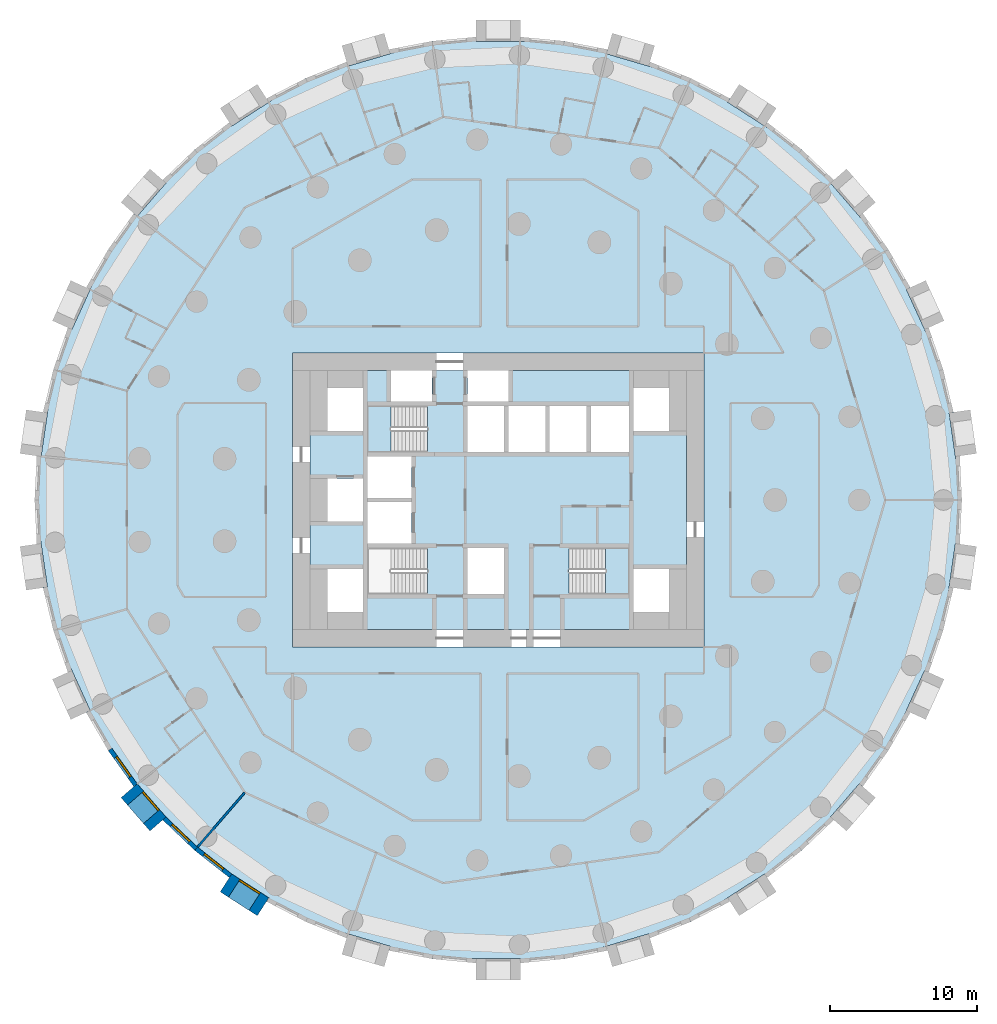
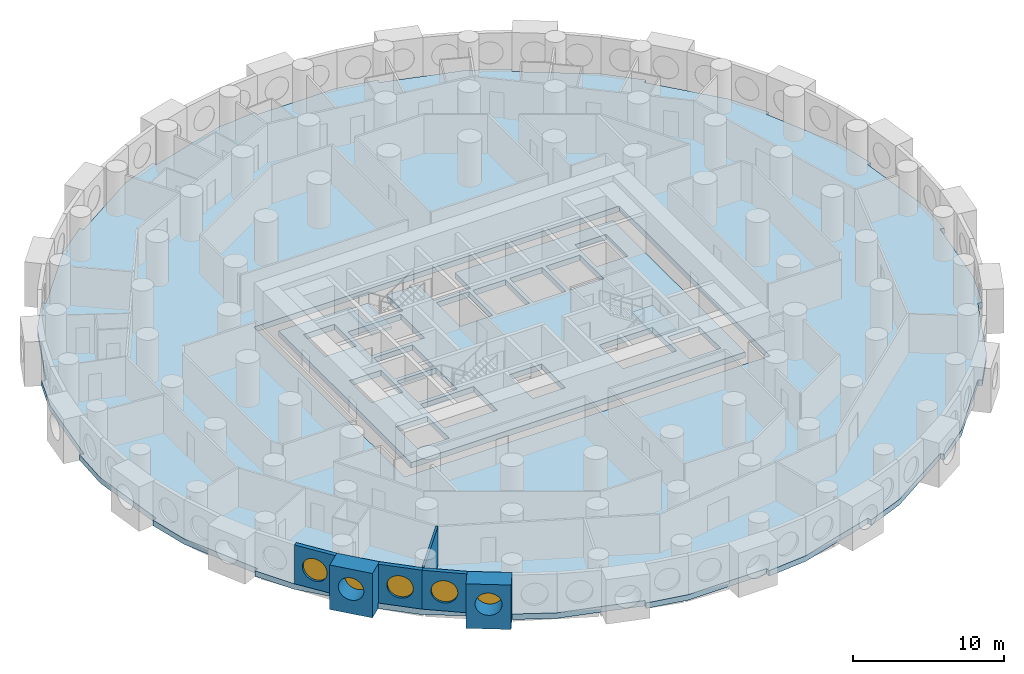
# One storey, part 2 of 12: 6 walls, 5 windows, 4 slabs, 5 openings, 2 elements without a shape of their own.
"""IFC4 building model written with IfcOpenShell, lengths in metres."""

import ifcopenshell
import ifcopenshell.guid

model = None  # the IFC model being written
_history = None  # IfcOwnerHistory: only IFC2X3 demands one
_inside = {}  # id of a spatial element -> (the spatial element, [elements in it])
_under = {}  # id of a project, library or spatial element -> (it, [spatial elements below it])
_declared = {}  # id of a project -> (the project, [libraries it declares])
_typed = {}  # id of a type object -> (the type object, [elements of that type])
_made_of = {}  # id of a material, layer set ... -> (it, [elements and type objects made of it])


def new_model(schema):
    """Start an empty IFC model of exactly this schema.

    Asked for "IFC4X3", IfcOpenShell would pick the latest addendum, in which some entities
    have other attributes; the version numbers below select the first issue.
    IFC2X3 requires an IfcOwnerHistory on every rooted entity: one is made here for all.
    """
    global model, _history
    if schema == "IFC4X3":
        model = ifcopenshell.file(schema_version=(4, 3, 0, 0))
    else:
        model = ifcopenshell.file(schema=schema)
    _inside.clear()
    _under.clear()
    _declared.clear()
    _typed.clear()
    _made_of.clear()
    _history = None
    if model.schema == "IFC2X3":
        org = make("IfcOrganization", Name="unknown")
        user = make(
            "IfcPersonAndOrganization",
            ThePerson=make("IfcPerson", FamilyName="unknown"),
            TheOrganization=org,
        )
        app = make(
            "IfcApplication",
            ApplicationDeveloper=org,
            Version="unknown",
            ApplicationFullName="unknown",
            ApplicationIdentifier="unknown",
        )
        _history = make(
            "IfcOwnerHistory",
            OwningUser=user,
            OwningApplication=app,
            ChangeAction="ADDED",
            CreationDate=0,
        )
    return model


def make(cls, **values):
    """One entity of the class cls with the attributes given. An attribute that is None is left unset."""
    return model.create_entity(
        cls, **{name: value for name, value in values.items() if value is not None}
    )


def rooted(cls, **values):
    """An entity with a GlobalId (a new one), such as an element, a storey or a relation."""
    return make(cls, GlobalId=ifcopenshell.guid.new(), OwnerHistory=_history, **values)


def si_unit(unit_type, name, prefix=None):
    """IfcSIUnit, for example si_unit("LENGTHUNIT", "METRE", prefix="MILLI")."""
    return make("IfcSIUnit", UnitType=unit_type, Prefix=prefix, Name=name)


def assignment(units):
    """IfcUnitAssignment: the units of a project."""
    return None if units is None else make("IfcUnitAssignment", Units=units)


def point(xyz):
    """IfcCartesianPoint."""
    return None if xyz is None else make("IfcCartesianPoint", Coordinates=xyz)


def direction(xyz):
    """IfcDirection."""
    return None if xyz is None else make("IfcDirection", DirectionRatios=xyz)


def frame(location, z_axis=None, x_axis=None):
    """IfcAxis2Placement3D, a coordinate frame: its origin and axes. An axis left out is left unset."""
    return make(
        "IfcAxis2Placement3D",
        Location=point(location),
        Axis=direction(z_axis),
        RefDirection=direction(x_axis),
    )


def frame_2d(location, x_axis=None):
    """IfcAxis2Placement2D, a coordinate frame in the plane: its origin and x axis."""
    return make(
        "IfcAxis2Placement2D", Location=point(location), RefDirection=direction(x_axis)
    )


def origin():
    """The frame at (0, 0, 0) with its axes left unset."""
    return frame((0.0, 0.0, 0.0))


def origin_2d():
    """The frame at (0, 0) in the plane with its x axis left unset."""
    return frame_2d((0.0, 0.0))


def place(relative_to, where):
    """IfcLocalPlacement: puts the frame where relative to a parent placement (None: the world)."""
    return make(
        "IfcLocalPlacement", PlacementRelTo=relative_to, RelativePlacement=where
    )


def context(
    kind, dimensions, precision=None, world=None, true_north=None, identifier=None
):
    """IfcGeometricRepresentationContext, for example the 3D "Model" context."""
    return make(
        "IfcGeometricRepresentationContext",
        ContextIdentifier=identifier,
        ContextType=kind,
        CoordinateSpaceDimension=dimensions,
        Precision=precision,
        WorldCoordinateSystem=world,
        TrueNorth=true_north,
    )


def subcontext(parent, identifier, kind, view, scale=None):
    """IfcGeometricRepresentationSubContext, for example "Body" below "Model"."""
    return make(
        "IfcGeometricRepresentationSubContext",
        ContextIdentifier=identifier,
        ContextType=kind,
        ParentContext=parent,
        TargetScale=scale,
        TargetView=view,
    )


def project(units=None, contexts=None):
    """IfcProject with its units and contexts."""
    return rooted(
        "IfcProject",
        Name="project",
        RepresentationContexts=contexts,
        UnitsInContext=assignment(units),
    )


def spatial(cls, under=None, at=None, **own):
    """A site, building, storey or space (cls), placed at a placement, below another one or the project."""
    s = rooted(cls, ObjectPlacement=at, **own)
    if under is not None:
        _under.setdefault(under.id(), (under, []))[1].append(s)
    return s


def polyline(points):
    """IfcPolyline through the points."""
    return make("IfcPolyline", Points=[point(p) for p in points])


def profile(cls, at=None, kind="AREA", **sizes):
    """A parametric profile (cls). Its sizes go by their IFC names, for example OverallWidth=200.0."""
    return make(cls, ProfileType=kind, Position=at, **sizes)


def rectangle(**sizes):
    """IfcRectangleProfileDef."""
    return profile("IfcRectangleProfileDef", **sizes)


def circle(**sizes):
    """IfcCircleProfileDef."""
    return profile("IfcCircleProfileDef", **sizes)


def outline(outer, holes=None, kind="AREA"):
    """IfcArbitraryClosedProfileDef: a profile drawn as a closed curve; with holes, ...WithVoids."""
    if holes is None:
        return make("IfcArbitraryClosedProfileDef", ProfileType=kind, OuterCurve=outer)
    return make(
        "IfcArbitraryProfileDefWithVoids",
        ProfileType=kind,
        OuterCurve=outer,
        InnerCurves=holes,
    )


def extrude(swept, where, along, depth):
    """IfcExtrudedAreaSolid: the profile swept, set in the frame where, extruded along a direction by depth."""
    return make(
        "IfcExtrudedAreaSolid",
        SweptArea=swept,
        Position=where,
        ExtrudedDirection=direction(along),
        Depth=depth,
    )


def shape(context_of_items, identifier, shape_type, items):
    """IfcShapeRepresentation: the items that make up one representation, for example the "Body"."""
    return make(
        "IfcShapeRepresentation",
        ContextOfItems=context_of_items,
        RepresentationIdentifier=identifier,
        RepresentationType=shape_type,
        Items=items,
    )


def material(Name=None, Category=None):
    """IfcMaterial."""
    return make("IfcMaterial", Name=Name, Category=Category)


def layer(
    of_material, thickness, ventilated=None, Name=None, Category=None, Priority=None
):
    """IfcMaterialLayer: one layer of a wall or slab, of a material (None: an air gap)."""
    return make(
        "IfcMaterialLayer",
        Material=of_material,
        LayerThickness=thickness,
        IsVentilated=ventilated,
        Name=Name,
        Category=Category,
        Priority=Priority,
    )


def layer_set(layers, Name=None):
    """IfcMaterialLayerSet."""
    return make("IfcMaterialLayerSet", MaterialLayers=layers, LayerSetName=Name)


def made_of(thing, what):
    """Note that an element or type object is made of a material, layer set ...; save() writes the relation."""
    if what is not None:
        _made_of.setdefault(what.id(), (what, []))[1].append(thing)
    return thing


def type_object(cls, material=None, **own):
    """A type object (cls), such as IfcWallType, which elements share."""
    return made_of(rooted(cls, **own), material)


def element(
    cls,
    number,
    at=None,
    inside=None,
    cuts=None,
    type_object=None,
    material=None,
    context=None,
    identifier="Body",
    shape_type=None,
    held_by="IfcProductDefinitionShape",
    body=None,
    shapes=None,
    **own,
):
    """One element of the class cls, such as IfcWall. Its Tag is "e" and its number.

    at: its placement. inside: the storey or other place that contains it. cuts: it is an
    opening in that element (IfcRelVoidsElement). A single representation is given by context,
    identifier, shape_type and body (its items); several are given by shapes. held_by: the class
    of the entity that holds the representations. save() writes the other relations.
    """
    e = rooted(cls, Tag="e%d" % number, ObjectPlacement=at, **own)
    if body is not None:
        shapes = [shape(context, identifier, shape_type, body)]
    if shapes is not None:
        e.Representation = make(held_by, Representations=shapes)
    if inside is not None:
        _inside.setdefault(inside.id(), (inside, []))[1].append(e)
    if cuts is not None:
        rooted(
            "IfcRelVoidsElement", RelatingBuildingElement=cuts, RelatedOpeningElement=e
        )
    if type_object is not None:
        _typed.setdefault(type_object.id(), (type_object, []))[1].append(e)
    return made_of(e, material)


def fill(opening, filler):
    """IfcRelFillsElement: the door or window that sits in an opening."""
    return rooted(
        "IfcRelFillsElement",
        RelatingOpeningElement=opening,
        RelatedBuildingElement=filler,
    )


def aggregate(whole, parts):
    """IfcRelAggregates: a whole, such as a stair, and the parts it consists of."""
    return rooted("IfcRelAggregates", RelatingObject=whole, RelatedObjects=parts)


def save(model, path):
    """Write the relations noted so far, then the file.

    IfcRelAggregates (storeys below a building ...), IfcRelContainedInSpatialStructure (elements
    in a storey), IfcRelDefinesByType, IfcRelAssociatesMaterial and IfcRelDeclares: one each for
    every whole, place, type object, material and project.
    """
    for whole, parts in _under.values():
        aggregate(whole, parts)
    for where, things in _inside.values():
        rooted(
            "IfcRelContainedInSpatialStructure",
            RelatedElements=things,
            RelatingStructure=where,
        )
    for kind, things in _typed.values():
        rooted("IfcRelDefinesByType", RelatedObjects=things, RelatingType=kind)
    for what, things in _made_of.values():
        rooted("IfcRelAssociatesMaterial", RelatedObjects=things, RelatingMaterial=what)
    for by, libraries in _declared.values():
        rooted("IfcRelDeclares", RelatingContext=by, RelatedDefinitions=libraries)
    model.write(path)


model = new_model("IFC4")

# Units and contexts
model_context = context("Model", 3, precision=1e-05, world=origin(), true_north=direction((0.0, 1.0)))
body_context = subcontext(model_context, "Body", "Model", "MODEL_VIEW")
ifc_project = project(units=[si_unit("LENGTHUNIT", "METRE"), si_unit("AREAUNIT", "SQUARE_METRE"), si_unit("VOLUMEUNIT", "CUBIC_METRE"), si_unit("PLANEANGLEUNIT", "RADIAN"), si_unit("MASSUNIT", "GRAM", prefix="KILO")], contexts=[model_context])

# Site, building, storey
site_placement = place(None, origin())
site = spatial("IfcSite", under=ifc_project, at=site_placement, CompositionType="ELEMENT")
building_placement = place(site_placement, origin())
building = spatial("IfcBuilding", under=site, at=building_placement, Name="Tracery Tower", CompositionType="ELEMENT")
storey_placement = place(building_placement, frame((0.0, 0.0, 53.39990234375)))
storey = spatial("IfcBuildingStorey", under=building, at=storey_placement, Name="L12", CompositionType="ELEMENT", Elevation=53.39990234375)

# Slabs
ifc_material_1 = material(Name="Concrete C60/75", Category="concrete")
ifc_layer_1 = layer(ifc_material_1, 0.449951171875)
ifc_layer_set_1 = layer_set([ifc_layer_1], Name="Core floor slab 450 C60")
slab_type_1 = type_object("IfcSlabType", Name="Core floor slab 450 C60", PredefinedType="FLOOR", material=ifc_layer_set_1)
slab_1_placement = place(storey_placement, frame((0.0, 0.0, -0.449951171875)))
element("IfcSlab", 1, at=slab_1_placement, inside=storey, type_object=slab_type_1, Name="L12 core floor 1", PredefinedType="FLOOR", context=body_context, shape_type="SweptSolid", body=[
    extrude(outline(polyline([(-12.800048828125, 8.800048828125), (-7.300048828125, 8.800048828125), (-7.300048828125, 6.699951171875), (-4.5, 6.699951171875), (-4.5, 8.800048828125), (-2.10009765625, 8.800048828125), (-2.10009765625, 6.699951171875), (0.699951171875, 6.699951171875), (0.699951171875, 8.800048828125), (12.800048828125, 8.800048828125), (12.800048828125, -8.800048828125), (-12.800048828125, -8.800048828125), (-12.800048828125, 8.800048828125)]), holes=[polyline([(11.60009765625, -7.60009765625), (11.60009765625, -4.699951171875), (9.199951171875, -4.699951171875), (9.199951171875, -7.60009765625), (11.60009765625, -7.60009765625)]), polyline([(11.60009765625, 4.699951171875), (11.60009765625, 7.60009765625), (9.199951171875, 7.60009765625), (9.199951171875, 4.699951171875), (11.60009765625, 4.699951171875)]), polyline([(4.800537109375, -3.25), (4.800537109375, -6.39990234375), (8.89990234375, -6.39990234375), (8.89990234375, -3.25), (4.800537109375, -3.25)]), polyline([(6.300048828125, 3.25), (8.89990234375, 3.25), (8.89990234375, 6.39990234375), (6.300048828125, 6.39990234375), (6.300048828125, 3.25)]), polyline([(3.5, 3.25), (6.0, 3.25), (6.0, 6.39990234375), (3.5, 6.39990234375), (3.5, 3.25)]), polyline([(3.199951171875, 3.25), (3.199951171875, 6.39990234375), (0.699951171875, 6.39990234375), (0.699951171875, 3.25), (3.199951171875, 3.25)]), polyline([(-2.10009765625, 3.25), (0.39990234375, 3.25), (0.39990234375, 6.39990234375), (-2.10009765625, 6.39990234375), (-2.10009765625, 3.25)]), polyline([(0.39990234375, -6.39990234375), (0.39990234375, -3.25), (-2.10009765625, -3.25), (-2.10009765625, -6.39990234375), (0.39990234375, -6.39990234375)]), polyline([(-4.800537109375, -3.25), (-8.89990234375, -3.25), (-8.89990234375, -6.39990234375), (-4.800537109375, -6.39990234375), (-4.800537109375, -3.25)]), polyline([(-4.800537109375, 6.39990234375), (-8.89990234375, 6.39990234375), (-8.89990234375, 3.25), (-4.800537109375, 3.25), (-4.800537109375, 6.39990234375)]), polyline([(-8.89990234375, -2.949951171875), (-5.89990234375, -2.949951171875), (-5.89990234375, -0.14990234375), (-8.89990234375, -0.14990234375), (-8.89990234375, -2.949951171875)]), polyline([(-5.89990234375, 0.14990234375), (-5.89990234375, 2.949951171875), (-8.89990234375, 2.949951171875), (-8.89990234375, 0.14990234375), (-5.89990234375, 0.14990234375)]), polyline([(-11.60009765625, 4.699951171875), (-9.199951171875, 4.699951171875), (-9.199951171875, 7.60009765625), (-11.60009765625, 7.60009765625), (-11.60009765625, 4.699951171875)]), polyline([(-9.199951171875, -7.60009765625), (-9.199951171875, -4.699951171875), (-11.60009765625, -4.699951171875), (-11.60009765625, -7.60009765625), (-9.199951171875, -7.60009765625)]), polyline([(-9.199951171875, -1.449951171875), (-9.199951171875, 1.449951171875), (-11.60009765625, 1.449951171875), (-11.60009765625, -1.449951171875), (-9.199951171875, -1.449951171875)])]), origin(), (0.0, 0.0, 1.0), 0.449951171875),
])
ifc_material_2 = material(Name="Concrete C50/60", Category="concrete")
ifc_layer_2 = layer(ifc_material_2, 0.449951171875)
ifc_layer_set_2 = layer_set([ifc_layer_2], Name="Floor slab 450")
slab_type_2 = type_object("IfcSlabType", Name="Floor slab 450", PredefinedType="FLOOR", material=ifc_layer_set_2)
slab_2_placement = place(storey_placement, frame((0.0, 0.0, -0.449951171875)))
element("IfcSlab", 2, at=slab_2_placement, inside=storey, type_object=slab_type_2, Name="Floor slab L12", PredefinedType="FLOOR", context=body_context, shape_type="SweptSolid", body=[
    extrude(outline(polyline([(31.0849609375, 2.953857421875), (31.0849609375, 2.953857421875), (30.673583984375, 5.814697265625), (30.659912109375, 5.9091796875), (30.659912109375, 5.9091796875), (30.657958984375, 5.92333984375), (30.954345703125, 5.966064453125), (30.954833984375, 5.966064453125), (30.24755859375, 8.881591796875), (28.99365234375, 11.591796875), (28.993408203125, 11.591796875), (28.74609375, 12.1337890625), (27.753173828125, 14.307861328125), (27.753173828125, 14.307861328125), (27.747314453125, 14.32080078125), (28.020263671875, 14.4453125), (26.520263671875, 17.04345703125), (24.55322265625, 19.290771484375), (24.55322265625, 19.290771484375), (22.588623046875, 21.55810546875), (22.814697265625, 21.75390625), (22.8154296875, 21.75439453125), (20.644287109375, 23.82470703125), (18.123779296875, 25.4267578125), (18.123779296875, 25.4267578125), (18.12060546875, 25.428955078125), (18.11181640625, 25.4345703125), (15.612060546875, 27.041015625), (15.612060546875, 27.041015625), (15.60009765625, 27.048583984375), (15.76220703125, 27.301025390625), (13.095703125, 28.67578125), (10.226318359375, 29.5029296875), (10.226318359375, 29.5029296875), (7.34765625, 30.34814453125), (7.43212890625, 30.6357421875), (7.43212890625, 30.635986328125), (4.486328125, 31.20361328125), (1.5, 31.18896484375), (1.5, 31.18896484375), (-1.5, 31.18896484375), (-1.5, 31.489013671875), (-4.486328125, 31.20361328125), (-7.34765625, 30.34814453125), (-7.34765625, 30.34814453125), (-10.226318359375, 29.5029296875), (-10.310791015625, 29.790771484375), (-10.310791015625, 29.790771484375), (-13.095703125, 28.67578125), (-15.60009765625, 27.048828125), (-15.60009765625, 27.048583984375), (-15.60888671875, 27.04296875), (-15.612060546875, 27.041015625), (-18.11181640625, 25.4345703125), (-18.11181640625, 25.4345703125), (-18.123779296875, 25.4267578125), (-18.285888671875, 25.6787109375), (-18.2861328125, 25.67919921875), (-20.644287109375, 23.82470703125), (-22.5888671875, 21.55810546875), (-22.588623046875, 21.55810546875), (-24.55322265625, 19.290771484375), (-24.77978515625, 19.487060546875), (-24.780029296875, 19.4873046875), (-26.520263671875, 17.04345703125), (-27.747314453125, 14.32080078125), (-27.747314453125, 14.32080078125), (-27.751708984375, 14.311279296875), (-27.753173828125, 14.307861328125), (-28.74609375, 12.1337890625), (-28.993408203125, 11.591796875), (-29.266357421875, 11.716552734375), (-30.24755859375, 8.881591796875), (-30.657958984375, 5.92333984375), (-30.657958984375, 5.92333984375), (-30.659912109375, 5.909423828125), (-30.659912109375, 5.9091796875), (-30.673583984375, 5.814697265625), (-31.0849609375, 2.953857421875), (-31.381591796875, 2.99658203125), (-31.3818359375, 2.99658203125), (-31.524658203125, 0.0), (-31.0849609375, -2.953857421875), (-31.0849609375, -2.953857421875), (-30.673583984375, -5.814697265625), (-30.659912109375, -5.9091796875), (-30.659912109375, -5.9091796875), (-30.657958984375, -5.92333984375), (-30.954345703125, -5.966064453125), (-30.954833984375, -5.966064453125), (-30.24755859375, -8.881591796875), (-28.99365234375, -11.591796875), (-28.993408203125, -11.591796875), (-28.74609375, -12.1337890625), (-27.753173828125, -14.307861328125), (-27.753173828125, -14.307861328125), (-27.747314453125, -14.32080078125), (-28.020263671875, -14.4453125), (-26.520263671875, -17.04345703125), (-24.55322265625, -19.290771484375), (-24.55322265625, -19.290771484375), (-22.588623046875, -21.55810546875), (-22.814697265625, -21.75390625), (-22.8154296875, -21.75439453125), (-20.644287109375, -23.82470703125), (-18.123779296875, -25.4267578125), (-18.123779296875, -25.4267578125), (-18.12060546875, -25.428955078125), (-18.11181640625, -25.4345703125), (-15.612060546875, -27.041015625), (-15.612060546875, -27.041015625), (-15.60009765625, -27.048583984375), (-15.76220703125, -27.301025390625), (-13.095703125, -28.67578125), (-10.226318359375, -29.5029296875), (-10.226318359375, -29.5029296875), (-7.34765625, -30.34814453125), (-7.43212890625, -30.6357421875), (-7.43212890625, -30.635986328125), (-4.486328125, -31.20361328125), (-1.5, -31.18896484375), (-1.5, -31.18896484375), (1.5, -31.18896484375), (1.5, -31.489013671875), (4.486328125, -31.20361328125), (7.34765625, -30.34814453125), (7.34765625, -30.34814453125), (10.226318359375, -29.5029296875), (10.310791015625, -29.790771484375), (10.310791015625, -29.790771484375), (13.095703125, -28.67578125), (15.60009765625, -27.048828125), (15.60009765625, -27.048583984375), (15.60888671875, -27.04296875), (15.612060546875, -27.041015625), (18.11181640625, -25.4345703125), (18.11181640625, -25.4345703125), (18.123779296875, -25.4267578125), (18.285888671875, -25.6787109375), (18.2861328125, -25.67919921875), (20.644287109375, -23.82470703125), (22.5888671875, -21.55810546875), (22.588623046875, -21.55810546875), (24.55322265625, -19.290771484375), (24.77978515625, -19.487060546875), (24.780029296875, -19.4873046875), (26.520263671875, -17.04345703125), (27.747314453125, -14.32080078125), (27.747314453125, -14.32080078125), (27.751708984375, -14.311279296875), (27.753173828125, -14.307861328125), (28.74609375, -12.1337890625), (28.993408203125, -11.591796875), (29.266357421875, -11.716552734375), (30.24755859375, -8.881591796875), (30.657958984375, -5.92333984375), (30.657958984375, -5.92333984375), (30.659912109375, -5.909423828125), (30.659912109375, -5.9091796875), (30.673583984375, -5.814697265625), (31.0849609375, -2.953857421875), (31.381591796875, -2.99658203125), (31.3818359375, -2.99658203125), (31.524658203125, 0.0), (31.0849609375, 2.953857421875)]), holes=[polyline([(-14.0, -10.0), (14.0, -10.0), (14.0, 10.0), (-14.0, 10.0), (-14.0, -10.0)])]), origin(), (0.0, 0.0, 1.0), 0.449951171875),
])

# Stair, slab
ifc_material_3 = material(Name="Concrete C32/40", Category="concrete")
stair_type = type_object("IfcStairType", Name="Core stair 22 risers", PredefinedType="HALF_TURN_STAIR", material=ifc_material_3)
stair_1_placement = place(storey_placement, origin())
stair_1 = element("IfcStair", 3, at=stair_1_placement, inside=storey, type_object=stair_type, Name="L12 stair ST3", PredefinedType="HALF_TURN_STAIR")
ifc_material_4 = material(Name="Concrete C32/40", Category="concrete")
ifc_layer_3 = layer(ifc_material_4, 0.199951171875)
ifc_layer_set_3 = layer_set([ifc_layer_3], Name="Stair landing slab 200")
slab_type_3 = type_object("IfcSlabType", Name="Stair landing slab 200", PredefinedType="LANDING", material=ifc_layer_set_3)
slab_3_placement = place(storey_placement, frame((0.0, 0.0, 1.60009765625)))
slab_3 = element("IfcSlab", 4, at=slab_3_placement, type_object=slab_type_3, Name="ST3 landing 1", PredefinedType="LANDING", context=body_context, shape_type="SweptSolid", body=[
    extrude(outline(polyline([(-7.29931640625, 6.39990234375), (-8.89990234375, 6.39990234375), (-8.89990234375, 3.25), (-7.29931640625, 3.25), (-7.29931640625, 6.39990234375)])), origin(), (0.0, 0.0, 1.0), 0.199951171875),
])
aggregate(stair_1, [slab_3])

stair_2_placement = place(storey_placement, origin())
stair_2 = element("IfcStair", 5, at=stair_2_placement, inside=storey, type_object=stair_type, Name="L12 stair ST2", PredefinedType="HALF_TURN_STAIR")
slab_4_placement = place(storey_placement, frame((0.0, 0.0, 1.60009765625)))
slab_4 = element("IfcSlab", 6, at=slab_4_placement, type_object=slab_type_3, Name="ST2 landing 1", PredefinedType="LANDING", context=body_context, shape_type="SweptSolid", body=[
    extrude(outline(polyline([(7.29931640625, -6.39990234375), (8.89990234375, -6.39990234375), (8.89990234375, -3.25), (7.29931640625, -3.25), (7.29931640625, -6.39990234375)])), origin(), (0.0, 0.0, 1.0), 0.199951171875),
])
aggregate(stair_2, [slab_4])

# Wall, opening, window
ifc_material_5 = material(Name="Precast concrete C50/60", Category="concrete")
ifc_layer_4 = layer(ifc_material_5, 1.449951171875)
ifc_layer_set_4 = layer_set([ifc_layer_4], Name="Deep-set bay unit 3000 x 3600, slab edge 450")
wall_type_1 = type_object("IfcWallType", Name="Deep-set bay unit 3000 x 3600, slab edge 450", PredefinedType="ELEMENTEDWALL", material=ifc_layer_set_4)
wall_1_placement = place(storey_placement, frame((-25.101318359375, -19.765625, -0.449951171875), z_axis=(0.0, 0.0, 1.0), x_axis=(0.654890259022, -0.75572398972, 0.0)))
wall_1 = element("IfcWall", 7, at=wall_1_placement, inside=storey, type_object=wall_type_1, Name="Deep-set bay unit 41 at L12", PredefinedType="ELEMENTEDWALL", context=body_context, shape_type="SweptSolid", body=[
    extrude(rectangle(XDim=3.0, YDim=1.449951171875, at=frame_2d((1.5, 0.0))), origin(), (0.0, 0.0, 1.0), 3.60009765625),
])
opening_1_placement = place(wall_1_placement, frame((1.5, 0.0, 2.0)))
opening_1 = element("IfcOpeningElement", 8, at=opening_1_placement, cuts=wall_1, Name="Opening WN1", PredefinedType="OPENING", context=body_context, shape_type="SweptSolid", body=[
    extrude(circle(Radius=0.9000244140625, at=origin_2d()), frame((0.0, 0.73486328125, 0.0), z_axis=(0.0, -1.0, 0.0), x_axis=(1.0, 0.0, 0.0)), (0.0, 0.0, 1.0), 1.469970703125),
])
ifc_material_6 = material(Name="Aluminium frame with tinted double glazing", Category="aluminium")
window_type = type_object("IfcWindowType", Name="Round window 1800", PartitioningType="SINGLE_PANEL", PredefinedType="WINDOW", material=ifc_material_6)
window_1_placement = place(opening_1_placement, origin())
window_1 = element("IfcWindow", 9, at=window_1_placement, inside=storey, type_object=window_type, Name="Round window 41 at L12", OverallHeight=1.800048828125, OverallWidth=1.800048828125, PartitioningType="SINGLE_PANEL", PredefinedType="WINDOW", context=body_context, shape_type="SweptSolid", body=[
    extrude(circle(Radius=0.9000244140625, at=origin_2d()), frame((0.0, 0.69482421875, 0.0), z_axis=(0.0, -1.0, 0.0), x_axis=(1.0, 0.0, 0.0)), (0.0, 0.0, 1.0), 0.10009765625),
])
fill(opening_1, window_1)

wall_2_placement = place(storey_placement, frame((-18.515869140625, -26.03662109375, -0.449951171875), z_axis=(0.0, 0.0, 1.0), x_axis=(0.841223422347, -0.540687667415, 0.0)))
wall_2 = element("IfcWall", 10, at=wall_2_placement, inside=storey, type_object=wall_type_1, Name="Deep-set bay unit 44 at L12", PredefinedType="ELEMENTEDWALL", context=body_context, shape_type="SweptSolid", body=[
    extrude(rectangle(XDim=3.0, YDim=1.449951171875, at=frame_2d((1.5, 0.0))), origin(), (0.0, 0.0, 1.0), 3.60009765625),
])
opening_2_placement = place(wall_2_placement, frame((1.5, 0.0, 2.0)))
opening_2 = element("IfcOpeningElement", 11, at=opening_2_placement, cuts=wall_2, Name="Opening WN1", PredefinedType="OPENING", context=body_context, shape_type="SweptSolid", body=[
    extrude(circle(Radius=0.9000244140625, at=origin_2d()), frame((0.0, 0.73486328125, 0.0), z_axis=(0.0, -1.0, 0.0), x_axis=(1.0, 0.0, 0.0)), (0.0, 0.0, 1.0), 1.469970703125),
])
window_2_placement = place(opening_2_placement, origin())
window_2 = element("IfcWindow", 12, at=window_2_placement, inside=storey, type_object=window_type, Name="Round window 44 at L12", OverallHeight=1.800048828125, OverallWidth=1.800048828125, PartitioningType="SINGLE_PANEL", PredefinedType="WINDOW", context=body_context, shape_type="SweptSolid", body=[
    extrude(circle(Radius=0.9000244140625, at=origin_2d()), frame((0.0, 0.69482421875, 0.0), z_axis=(0.0, -1.0, 0.0), x_axis=(1.0, 0.0, 0.0)), (0.0, 0.0, 1.0), 0.10009765625),
])
fill(opening_2, window_2)

ifc_material_7 = material(Name="Precast concrete C50/60", Category="concrete")
ifc_layer_5 = layer(ifc_material_7, 0.300048828125)
ifc_layer_set_5 = layer_set([ifc_layer_5], Name="Facade panel 3000 x 3150")
wall_type_2 = type_object("IfcWallType", Name="Facade panel 3000 x 3150", PredefinedType="SOLIDWALL", material=ifc_layer_set_5)
wall_3_placement = place(storey_placement, frame((-26.393798828125, -16.96240234375, 0.0), z_axis=(0.0, 0.0, 1.0), x_axis=(0.580059407678, -0.81457417315, 0.0)))
wall_3 = element("IfcWall", 13, at=wall_3_placement, inside=storey, type_object=wall_type_2, Name="Facade panel 40 at L12", PredefinedType="SOLIDWALL", context=body_context, shape_type="SweptSolid", body=[
    extrude(rectangle(XDim=2.9794921875, YDim=0.300048828125, at=frame_2d((1.48974609375, 0.0))), origin(), (0.0, 0.0, 1.0), 3.150146484375),
])
opening_3_placement = place(wall_3_placement, frame((1.48974609375, 0.0, 1.5498046875)))
opening_3 = element("IfcOpeningElement", 14, at=opening_3_placement, cuts=wall_3, Name="Opening WN1", PredefinedType="OPENING", context=body_context, shape_type="SweptSolid", body=[
    extrude(circle(Radius=0.9000244140625, at=origin_2d()), frame((0.0, 0.159912109375, 0.0), z_axis=(0.0, -1.0, 0.0), x_axis=(1.0, 0.0, 0.0)), (0.0, 0.0, 1.0), 0.320068359375),
])
window_3_placement = place(opening_3_placement, origin())
window_3 = element("IfcWindow", 15, at=window_3_placement, inside=storey, type_object=window_type, Name="Round window 40 at L12", OverallHeight=1.800048828125, OverallWidth=1.800048828125, PartitioningType="SINGLE_PANEL", PredefinedType="WINDOW", context=body_context, shape_type="SweptSolid", body=[
    extrude(circle(Radius=0.9000244140625, at=origin_2d()), frame((0.0, 0.1201171875, 0.0), z_axis=(0.0, -1.0, 0.0), x_axis=(1.0, 0.0, 0.0)), (0.0, 0.0, 1.0), 0.10009765625),
])
fill(opening_3, window_3)

wall_4_placement = place(storey_placement, frame((-22.702392578125, -21.655029296875, 0.0), z_axis=(0.0, 0.0, 1.0), x_axis=(0.723744206617, -0.690068346896, 0.0)))
wall_4 = element("IfcWall", 16, at=wall_4_placement, inside=storey, type_object=wall_type_2, Name="Facade panel 42 at L12", PredefinedType="SOLIDWALL", context=body_context, shape_type="SweptSolid", body=[
    extrude(rectangle(XDim=2.979736328125, YDim=0.300048828125, at=frame_2d((1.48974609375, 0.0))), origin(), (0.0, 0.0, 1.0), 3.150146484375),
])
opening_4_placement = place(wall_4_placement, frame((1.48974609375, 0.0, 1.5498046875)))
opening_4 = element("IfcOpeningElement", 17, at=opening_4_placement, cuts=wall_4, Name="Opening WN1", PredefinedType="OPENING", context=body_context, shape_type="SweptSolid", body=[
    extrude(circle(Radius=0.9000244140625, at=origin_2d()), frame((0.0, 0.159912109375, 0.0), z_axis=(0.0, -1.0, 0.0), x_axis=(1.0, 0.0, 0.0)), (0.0, 0.0, 1.0), 0.320068359375),
])
window_4_placement = place(opening_4_placement, origin())
window_4 = element("IfcWindow", 18, at=window_4_placement, inside=storey, type_object=window_type, Name="Round window 42 at L12", OverallHeight=1.800048828125, OverallWidth=1.800048828125, PartitioningType="SINGLE_PANEL", PredefinedType="WINDOW", context=body_context, shape_type="SweptSolid", body=[
    extrude(circle(Radius=0.9000244140625, at=origin_2d()), frame((0.0, 0.1201171875, 0.0), z_axis=(0.0, -1.0, 0.0), x_axis=(1.0, 0.0, 0.0)), (0.0, 0.0, 1.0), 0.10009765625),
])
fill(opening_4, window_4)

wall_5_placement = place(storey_placement, frame((-20.5458984375, -23.711181640625, 0.0), z_axis=(0.0, 0.0, 1.0), x_axis=(0.786045331304, -0.618168858108, 0.0)))
wall_5 = element("IfcWall", 19, at=wall_5_placement, inside=storey, type_object=wall_type_2, Name="Facade panel 43 at L12", PredefinedType="SOLIDWALL", context=body_context, shape_type="SweptSolid", body=[
    extrude(rectangle(XDim=2.979736328125, YDim=0.300048828125, at=frame_2d((1.48974609375, 0.0))), origin(), (0.0, 0.0, 1.0), 3.150146484375),
])
opening_5_placement = place(wall_5_placement, frame((1.48974609375, 0.0, 1.5498046875)))
opening_5 = element("IfcOpeningElement", 20, at=opening_5_placement, cuts=wall_5, Name="Opening WN1", PredefinedType="OPENING", context=body_context, shape_type="SweptSolid", body=[
    extrude(circle(Radius=0.9000244140625, at=origin_2d()), frame((0.0, 0.159912109375, 0.0), z_axis=(0.0, -1.0, 0.0), x_axis=(1.0, 0.0, 0.0)), (0.0, 0.0, 1.0), 0.320068359375),
])
window_5_placement = place(opening_5_placement, origin())
window_5 = element("IfcWindow", 21, at=window_5_placement, inside=storey, type_object=window_type, Name="Round window 43 at L12", OverallHeight=1.800048828125, OverallWidth=1.800048828125, PartitioningType="SINGLE_PANEL", PredefinedType="WINDOW", context=body_context, shape_type="SweptSolid", body=[
    extrude(circle(Radius=0.9000244140625, at=origin_2d()), frame((0.0, 0.1201171875, 0.0), z_axis=(0.0, -1.0, 0.0), x_axis=(1.0, 0.0, 0.0)), (0.0, 0.0, 1.0), 0.10009765625),
])
fill(opening_5, window_5)

# Wall
ifc_material_8 = material(Name="Plasterboard on steel studs", Category="steel")
ifc_layer_6 = layer(ifc_material_8, 0.14990234375)
ifc_layer_set_6 = layer_set([ifc_layer_6], Name="Partition 150 acoustic unit wall")
wall_type_3 = type_object("IfcWallType", Name="Partition 150 acoustic unit wall", PredefinedType="PARTITIONING", material=ifc_layer_set_6)
wall_6_placement = place(storey_placement, frame((-20.447998046875, -23.597900390625, 0.0), z_axis=(0.0, 0.0, 1.0), x_axis=(0.654847179409, 0.755761319214, 0.0)))
element("IfcWall", 22, at=wall_6_placement, inside=storey, type_object=wall_type_3, Name="Unit wall RA3-099", PredefinedType="PARTITIONING", context=body_context, shape_type="SweptSolid", body=[
    extrude(rectangle(XDim=4.90625, YDim=0.14990234375, at=frame_2d((2.453125, 0.0))), origin(), (0.0, 0.0, 1.0), 3.150146484375),
])

save(model, "model.ifc")
